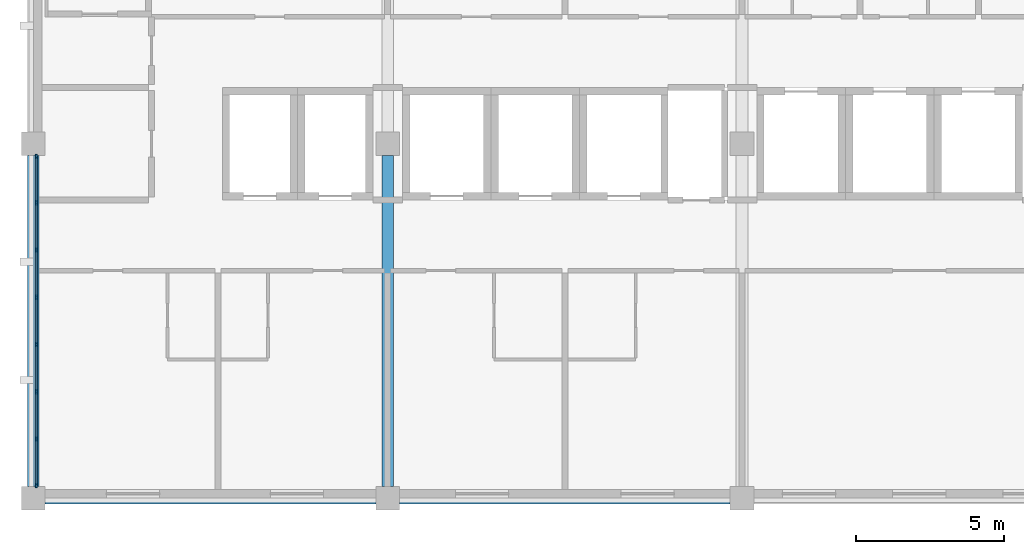
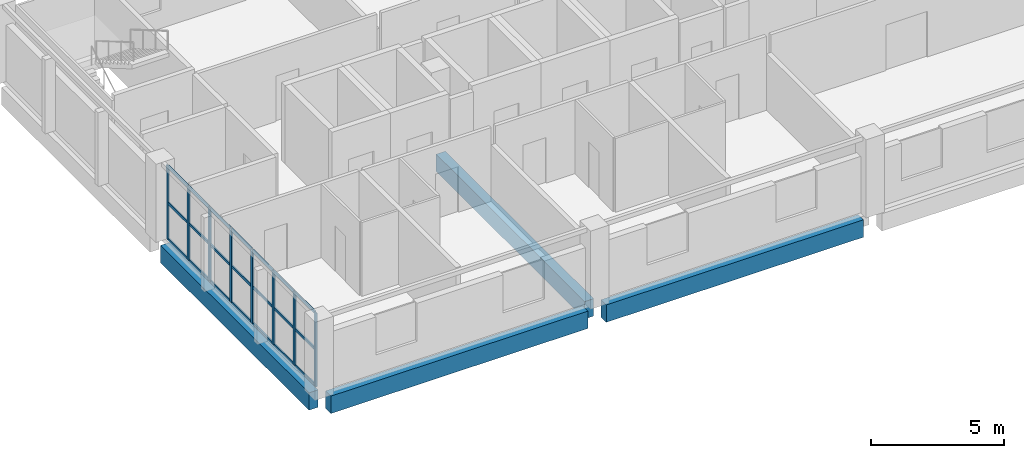
# One storey, part 2 of 11: 29 members, 4 beams, 1 element without a shape of its own.
"""IFC4 building model written with IfcOpenShell, lengths in metres."""

from ifc_helpers import new_model, si_unit, direction, frame, origin, origin_2d, place, context, subcontext, project, spatial, rectangle, extrude, material, layer, layer_set, material_profile, profile_set, type_object, element, aggregate, save


model = new_model("IFC4")

# Units and contexts
model_context = context("Model", 3, precision=1e-05, world=origin(), true_north=direction((0.0, 1.0)))
body_context = subcontext(model_context, "Body", "Model", "MODEL_VIEW")
ifc_project = project(units=[si_unit("LENGTHUNIT", "METRE"), si_unit("AREAUNIT", "SQUARE_METRE"), si_unit("VOLUMEUNIT", "CUBIC_METRE"), si_unit("PLANEANGLEUNIT", "RADIAN"), si_unit("MASSUNIT", "GRAM", prefix="KILO")], contexts=[model_context])

# Site, building, storey
site_placement = place(None, origin())
site = spatial("IfcSite", under=ifc_project, at=site_placement, CompositionType="ELEMENT")
building_placement = place(site_placement, origin())
building = spatial("IfcBuilding", under=site, at=building_placement, Name="Lilac Gate Convention Centre", CompositionType="ELEMENT")
storey_placement = place(building_placement, frame((0.0, 0.0, 39.0)))
storey = spatial("IfcBuildingStorey", under=building, at=storey_placement, Name="L09", CompositionType="ELEMENT", Elevation=39.0)

# Curtain wall, members
ifc_material_1 = material(Name="Aluminium framed double glazing", Category="aluminium")
ifc_layer = layer(ifc_material_1, 0.199951171875)
ifc_layer_set = layer_set([ifc_layer], Name="Aluminium framed double glazing")
curtain_wall_type = type_object("IfcCurtainWallType", Name="Unitised curtain wall 1500", PredefinedType="NOTDEFINED", material=ifc_layer_set)
curtain_wall_placement = place(storey_placement, origin())
curtain_wall = element("IfcCurtainWall", 1, at=curtain_wall_placement, inside=storey, type_object=curtain_wall_type, Name="Curtain wall W L09 2", PredefinedType="NOTDEFINED")
ifc_material_2 = material(Name="Aluminium alloy 6063", Category="aluminium")
ifc_material_profile_1 = material_profile(ifc_material_2, rectangle(XDim=0.06005859375, YDim=0.159912109375, at=origin_2d()), Name="Curtain wall mullion 60 x 160")
ifc_profile_set_1 = profile_set([ifc_material_profile_1], Name="Aluminium alloy 6063")
member_type_1 = type_object("IfcMemberType", Name="Curtain wall mullion 60 x 160", PredefinedType="MULLION", material=ifc_profile_set_1)
member_1_placement = place(storey_placement, frame((42.10009765625, 233.570068359375, 0.0), z_axis=(0.0, 0.0, 1.0), x_axis=(1.0, 0.0, 0.0)))
member_1 = element("IfcMember", 2, at=member_1_placement, type_object=member_type_1, Name="CW mullion 1", PredefinedType="MULLION", context=body_context, shape_type="SweptSolid", body=[
    extrude(rectangle(XDim=0.06005859375, YDim=0.159912109375, at=origin_2d()), origin(), (0.0, 0.0, 1.0), 3.39990234375),
])
member_2_placement = place(storey_placement, frame((42.10009765625, 232.0, 0.0), z_axis=(0.0, 0.0, 1.0), x_axis=(1.0, 0.0, 0.0)))
member_2 = element("IfcMember", 3, at=member_2_placement, type_object=member_type_1, Name="CW mullion 2", PredefinedType="MULLION", context=body_context, shape_type="SweptSolid", body=[
    extrude(rectangle(XDim=0.06005859375, YDim=0.159912109375, at=origin_2d()), origin(), (0.0, 0.0, 1.0), 3.39990234375),
])
member_3_placement = place(storey_placement, frame((42.10009765625, 230.400146484375, 0.0), z_axis=(0.0, 0.0, 1.0), x_axis=(1.0, 0.0, 0.0)))
member_3 = element("IfcMember", 4, at=member_3_placement, type_object=member_type_1, Name="CW mullion 3", PredefinedType="MULLION", context=body_context, shape_type="SweptSolid", body=[
    extrude(rectangle(XDim=0.06005859375, YDim=0.159912109375, at=origin_2d()), origin(), (0.0, 0.0, 1.0), 3.39990234375),
])
member_4_placement = place(storey_placement, frame((42.10009765625, 228.800048828125, 0.0), z_axis=(0.0, 0.0, 1.0), x_axis=(1.0, 0.0, 0.0)))
member_4 = element("IfcMember", 5, at=member_4_placement, type_object=member_type_1, Name="CW mullion 4", PredefinedType="MULLION", context=body_context, shape_type="SweptSolid", body=[
    extrude(rectangle(XDim=0.06005859375, YDim=0.159912109375, at=origin_2d()), origin(), (0.0, 0.0, 1.0), 3.39990234375),
])
member_5_placement = place(storey_placement, frame((42.10009765625, 227.199951171875, 0.0), z_axis=(0.0, 0.0, 1.0), x_axis=(1.0, 0.0, 0.0)))
member_5 = element("IfcMember", 6, at=member_5_placement, type_object=member_type_1, Name="CW mullion 5", PredefinedType="MULLION", context=body_context, shape_type="SweptSolid", body=[
    extrude(rectangle(XDim=0.06005859375, YDim=0.159912109375, at=origin_2d()), origin(), (0.0, 0.0, 1.0), 3.39990234375),
])
member_6_placement = place(storey_placement, frame((42.10009765625, 225.599853515625, 0.0), z_axis=(0.0, 0.0, 1.0), x_axis=(1.0, 0.0, 0.0)))
member_6 = element("IfcMember", 7, at=member_6_placement, type_object=member_type_1, Name="CW mullion 6", PredefinedType="MULLION", context=body_context, shape_type="SweptSolid", body=[
    extrude(rectangle(XDim=0.06005859375, YDim=0.159912109375, at=origin_2d()), origin(), (0.0, 0.0, 1.0), 3.39990234375),
])
member_7_placement = place(storey_placement, frame((42.10009765625, 224.0, 0.0), z_axis=(0.0, 0.0, 1.0), x_axis=(1.0, 0.0, 0.0)))
member_7 = element("IfcMember", 8, at=member_7_placement, type_object=member_type_1, Name="CW mullion 7", PredefinedType="MULLION", context=body_context, shape_type="SweptSolid", body=[
    extrude(rectangle(XDim=0.06005859375, YDim=0.159912109375, at=origin_2d()), origin(), (0.0, 0.0, 1.0), 3.39990234375),
])
member_8_placement = place(storey_placement, frame((42.10009765625, 222.429931640625, 0.0), z_axis=(0.0, 0.0, 1.0), x_axis=(1.0, 0.0, 0.0)))
member_8 = element("IfcMember", 9, at=member_8_placement, type_object=member_type_1, Name="CW mullion 8", PredefinedType="MULLION", context=body_context, shape_type="SweptSolid", body=[
    extrude(rectangle(XDim=0.06005859375, YDim=0.159912109375, at=origin_2d()), origin(), (0.0, 0.0, 1.0), 3.39990234375),
])
ifc_material_profile_2 = material_profile(ifc_material_2, rectangle(XDim=0.06005859375, YDim=0.1201171875, at=origin_2d()), Name="Curtain wall transom 60 x 120")
ifc_profile_set_2 = profile_set([ifc_material_profile_2], Name="Aluminium alloy 6063")
member_type_2 = type_object("IfcMemberType", Name="Curtain wall transom 60 x 120", PredefinedType="USERDEFINED", material=ifc_profile_set_2)
member_9_placement = place(storey_placement, frame((42.10009765625, 233.5400390625, 0.030029296875), z_axis=(0.0, -1.0, 0.0), x_axis=(1.0, 0.0, 0.0)))
member_9 = element("IfcMember", 10, at=member_9_placement, type_object=member_type_2, Name="CW transom 1.1", ObjectType="TRANSOM", PredefinedType="USERDEFINED", context=body_context, shape_type="SweptSolid", body=[
    extrude(rectangle(XDim=0.06005859375, YDim=0.1201171875, at=origin_2d()), origin(), (0.0, 0.0, 1.0), 1.510009765625),
])
member_10_placement = place(storey_placement, frame((42.10009765625, 233.5400390625, 1.699951171875), z_axis=(0.0, -1.0, 0.0), x_axis=(1.0, 0.0, 0.0)))
member_10 = element("IfcMember", 11, at=member_10_placement, type_object=member_type_2, Name="CW transom 1.2", ObjectType="TRANSOM", PredefinedType="USERDEFINED", context=body_context, shape_type="SweptSolid", body=[
    extrude(rectangle(XDim=0.06005859375, YDim=0.1201171875, at=origin_2d()), origin(), (0.0, 0.0, 1.0), 1.510009765625),
])
member_11_placement = place(storey_placement, frame((42.10009765625, 233.5400390625, 3.369873046875), z_axis=(0.0, -1.0, 0.0), x_axis=(1.0, 0.0, 0.0)))
member_11 = element("IfcMember", 12, at=member_11_placement, type_object=member_type_2, Name="CW transom 1.3", ObjectType="TRANSOM", PredefinedType="USERDEFINED", context=body_context, shape_type="SweptSolid", body=[
    extrude(rectangle(XDim=0.06005859375, YDim=0.1201171875, at=origin_2d()), origin(), (0.0, 0.0, 1.0), 1.510009765625),
])
member_12_placement = place(storey_placement, frame((42.10009765625, 231.969970703125, 0.030029296875), z_axis=(0.0, -1.0, 0.0), x_axis=(1.0, 0.0, 0.0)))
member_12 = element("IfcMember", 13, at=member_12_placement, type_object=member_type_2, Name="CW transom 2.1", ObjectType="TRANSOM", PredefinedType="USERDEFINED", context=body_context, shape_type="SweptSolid", body=[
    extrude(rectangle(XDim=0.06005859375, YDim=0.1201171875, at=origin_2d()), origin(), (0.0, 0.0, 1.0), 1.5400390625),
])
member_13_placement = place(storey_placement, frame((42.10009765625, 231.969970703125, 1.699951171875), z_axis=(0.0, -1.0, 0.0), x_axis=(1.0, 0.0, 0.0)))
member_13 = element("IfcMember", 14, at=member_13_placement, type_object=member_type_2, Name="CW transom 2.2", ObjectType="TRANSOM", PredefinedType="USERDEFINED", context=body_context, shape_type="SweptSolid", body=[
    extrude(rectangle(XDim=0.06005859375, YDim=0.1201171875, at=origin_2d()), origin(), (0.0, 0.0, 1.0), 1.5400390625),
])
member_14_placement = place(storey_placement, frame((42.10009765625, 231.969970703125, 3.369873046875), z_axis=(0.0, -1.0, 0.0), x_axis=(1.0, 0.0, 0.0)))
member_14 = element("IfcMember", 15, at=member_14_placement, type_object=member_type_2, Name="CW transom 2.3", ObjectType="TRANSOM", PredefinedType="USERDEFINED", context=body_context, shape_type="SweptSolid", body=[
    extrude(rectangle(XDim=0.06005859375, YDim=0.1201171875, at=origin_2d()), origin(), (0.0, 0.0, 1.0), 1.5400390625),
])
member_15_placement = place(storey_placement, frame((42.10009765625, 230.3701171875, 0.030029296875), z_axis=(0.0, -1.0, 0.0), x_axis=(1.0, 0.0, 0.0)))
member_15 = element("IfcMember", 16, at=member_15_placement, type_object=member_type_2, Name="CW transom 3.1", ObjectType="TRANSOM", PredefinedType="USERDEFINED", context=body_context, shape_type="SweptSolid", body=[
    extrude(rectangle(XDim=0.06005859375, YDim=0.1201171875, at=origin_2d()), origin(), (0.0, 0.0, 1.0), 1.5400390625),
])
member_16_placement = place(storey_placement, frame((42.10009765625, 230.3701171875, 1.699951171875), z_axis=(0.0, -1.0, 0.0), x_axis=(1.0, 0.0, 0.0)))
member_16 = element("IfcMember", 17, at=member_16_placement, type_object=member_type_2, Name="CW transom 3.2", ObjectType="TRANSOM", PredefinedType="USERDEFINED", context=body_context, shape_type="SweptSolid", body=[
    extrude(rectangle(XDim=0.06005859375, YDim=0.1201171875, at=origin_2d()), origin(), (0.0, 0.0, 1.0), 1.5400390625),
])
member_17_placement = place(storey_placement, frame((42.10009765625, 230.3701171875, 3.369873046875), z_axis=(0.0, -1.0, 0.0), x_axis=(1.0, 0.0, 0.0)))
member_17 = element("IfcMember", 18, at=member_17_placement, type_object=member_type_2, Name="CW transom 3.3", ObjectType="TRANSOM", PredefinedType="USERDEFINED", context=body_context, shape_type="SweptSolid", body=[
    extrude(rectangle(XDim=0.06005859375, YDim=0.1201171875, at=origin_2d()), origin(), (0.0, 0.0, 1.0), 1.5400390625),
])
member_18_placement = place(storey_placement, frame((42.10009765625, 228.77001953125, 0.030029296875), z_axis=(0.0, -1.0, 0.0), x_axis=(1.0, 0.0, 0.0)))
member_18 = element("IfcMember", 19, at=member_18_placement, type_object=member_type_2, Name="CW transom 4.1", ObjectType="TRANSOM", PredefinedType="USERDEFINED", context=body_context, shape_type="SweptSolid", body=[
    extrude(rectangle(XDim=0.06005859375, YDim=0.1201171875, at=origin_2d()), origin(), (0.0, 0.0, 1.0), 1.5400390625),
])
member_19_placement = place(storey_placement, frame((42.10009765625, 228.77001953125, 1.699951171875), z_axis=(0.0, -1.0, 0.0), x_axis=(1.0, 0.0, 0.0)))
member_19 = element("IfcMember", 20, at=member_19_placement, type_object=member_type_2, Name="CW transom 4.2", ObjectType="TRANSOM", PredefinedType="USERDEFINED", context=body_context, shape_type="SweptSolid", body=[
    extrude(rectangle(XDim=0.06005859375, YDim=0.1201171875, at=origin_2d()), origin(), (0.0, 0.0, 1.0), 1.5400390625),
])
member_20_placement = place(storey_placement, frame((42.10009765625, 228.77001953125, 3.369873046875), z_axis=(0.0, -1.0, 0.0), x_axis=(1.0, 0.0, 0.0)))
member_20 = element("IfcMember", 21, at=member_20_placement, type_object=member_type_2, Name="CW transom 4.3", ObjectType="TRANSOM", PredefinedType="USERDEFINED", context=body_context, shape_type="SweptSolid", body=[
    extrude(rectangle(XDim=0.06005859375, YDim=0.1201171875, at=origin_2d()), origin(), (0.0, 0.0, 1.0), 1.5400390625),
])
member_21_placement = place(storey_placement, frame((42.10009765625, 227.169921875, 0.030029296875), z_axis=(0.0, -1.0, 0.0), x_axis=(1.0, 0.0, 0.0)))
member_21 = element("IfcMember", 22, at=member_21_placement, type_object=member_type_2, Name="CW transom 5.1", ObjectType="TRANSOM", PredefinedType="USERDEFINED", context=body_context, shape_type="SweptSolid", body=[
    extrude(rectangle(XDim=0.06005859375, YDim=0.1201171875, at=origin_2d()), origin(), (0.0, 0.0, 1.0), 1.5400390625),
])
member_22_placement = place(storey_placement, frame((42.10009765625, 227.169921875, 1.699951171875), z_axis=(0.0, -1.0, 0.0), x_axis=(1.0, 0.0, 0.0)))
member_22 = element("IfcMember", 23, at=member_22_placement, type_object=member_type_2, Name="CW transom 5.2", ObjectType="TRANSOM", PredefinedType="USERDEFINED", context=body_context, shape_type="SweptSolid", body=[
    extrude(rectangle(XDim=0.06005859375, YDim=0.1201171875, at=origin_2d()), origin(), (0.0, 0.0, 1.0), 1.5400390625),
])
member_23_placement = place(storey_placement, frame((42.10009765625, 227.169921875, 3.369873046875), z_axis=(0.0, -1.0, 0.0), x_axis=(1.0, 0.0, 0.0)))
member_23 = element("IfcMember", 24, at=member_23_placement, type_object=member_type_2, Name="CW transom 5.3", ObjectType="TRANSOM", PredefinedType="USERDEFINED", context=body_context, shape_type="SweptSolid", body=[
    extrude(rectangle(XDim=0.06005859375, YDim=0.1201171875, at=origin_2d()), origin(), (0.0, 0.0, 1.0), 1.5400390625),
])
member_24_placement = place(storey_placement, frame((42.10009765625, 225.570068359375, 0.030029296875), z_axis=(0.0, -1.0, 0.0), x_axis=(1.0, 0.0, 0.0)))
member_24 = element("IfcMember", 25, at=member_24_placement, type_object=member_type_2, Name="CW transom 6.1", ObjectType="TRANSOM", PredefinedType="USERDEFINED", context=body_context, shape_type="SweptSolid", body=[
    extrude(rectangle(XDim=0.06005859375, YDim=0.1201171875, at=origin_2d()), origin(), (0.0, 0.0, 1.0), 1.5400390625),
])
member_25_placement = place(storey_placement, frame((42.10009765625, 225.570068359375, 1.699951171875), z_axis=(0.0, -1.0, 0.0), x_axis=(1.0, 0.0, 0.0)))
member_25 = element("IfcMember", 26, at=member_25_placement, type_object=member_type_2, Name="CW transom 6.2", ObjectType="TRANSOM", PredefinedType="USERDEFINED", context=body_context, shape_type="SweptSolid", body=[
    extrude(rectangle(XDim=0.06005859375, YDim=0.1201171875, at=origin_2d()), origin(), (0.0, 0.0, 1.0), 1.5400390625),
])
member_26_placement = place(storey_placement, frame((42.10009765625, 225.570068359375, 3.369873046875), z_axis=(0.0, -1.0, 0.0), x_axis=(1.0, 0.0, 0.0)))
member_26 = element("IfcMember", 27, at=member_26_placement, type_object=member_type_2, Name="CW transom 6.3", ObjectType="TRANSOM", PredefinedType="USERDEFINED", context=body_context, shape_type="SweptSolid", body=[
    extrude(rectangle(XDim=0.06005859375, YDim=0.1201171875, at=origin_2d()), origin(), (0.0, 0.0, 1.0), 1.5400390625),
])
member_27_placement = place(storey_placement, frame((42.10009765625, 223.969970703125, 0.030029296875), z_axis=(0.0, -1.0, 0.0), x_axis=(1.0, 0.0, 0.0)))
member_27 = element("IfcMember", 28, at=member_27_placement, type_object=member_type_2, Name="CW transom 7.1", ObjectType="TRANSOM", PredefinedType="USERDEFINED", context=body_context, shape_type="SweptSolid", body=[
    extrude(rectangle(XDim=0.06005859375, YDim=0.1201171875, at=origin_2d()), origin(), (0.0, 0.0, 1.0), 1.510009765625),
])
member_28_placement = place(storey_placement, frame((42.10009765625, 223.969970703125, 1.699951171875), z_axis=(0.0, -1.0, 0.0), x_axis=(1.0, 0.0, 0.0)))
member_28 = element("IfcMember", 29, at=member_28_placement, type_object=member_type_2, Name="CW transom 7.2", ObjectType="TRANSOM", PredefinedType="USERDEFINED", context=body_context, shape_type="SweptSolid", body=[
    extrude(rectangle(XDim=0.06005859375, YDim=0.1201171875, at=origin_2d()), origin(), (0.0, 0.0, 1.0), 1.510009765625),
])
member_29_placement = place(storey_placement, frame((42.10009765625, 223.969970703125, 3.369873046875), z_axis=(0.0, -1.0, 0.0), x_axis=(1.0, 0.0, 0.0)))
member_29 = element("IfcMember", 30, at=member_29_placement, type_object=member_type_2, Name="CW transom 7.3", ObjectType="TRANSOM", PredefinedType="USERDEFINED", context=body_context, shape_type="SweptSolid", body=[
    extrude(rectangle(XDim=0.06005859375, YDim=0.1201171875, at=origin_2d()), origin(), (0.0, 0.0, 1.0), 1.510009765625),
])
aggregate(curtain_wall, [member_1, member_2, member_3, member_4, member_5, member_6, member_7, member_8, member_9, member_10, member_11, member_12, member_13, member_14, member_15, member_16, member_17, member_18, member_19, member_20, member_21, member_22, member_23, member_24, member_25, member_26, member_27, member_28, member_29])

# Beams
ifc_material_3 = material(Name="Concrete C40", Category="concrete")
ifc_material_profile_3 = material_profile(ifc_material_3, rectangle(XDim=0.39990234375, YDim=0.800048828125, at=origin_2d()), Name="RC 400x800")
ifc_profile_set_3 = profile_set([ifc_material_profile_3], Name="Concrete C40")
beam_type = type_object("IfcBeamType", Name="Tower primary beam 400x800 C40", PredefinedType="BEAM", material=ifc_profile_set_3)
for number, where, z_axis, x_axis, name in (
    (31, (42.39990234375, 222.0, -0.60009765625), (1.0, 0.0, 0.0), (0.0, 1.0, 0.0), "RB3 L09 4/S-5/S"),
    (32, (54.39990234375, 222.0, -0.60009765625), (1.0, 0.0, 0.0), (0.0, 1.0, 0.0), "RB3 L09 5/S-6/S"),
    (33, (42.0, 222.39990234375, -0.60009765625), (0.0, 1.0, 0.0), (-1.0, 0.0, 0.0), "RB3 L09 4/S-4/T"),
    (34, (54.0, 222.39990234375, -0.60009765625), (0.0, 1.0, 0.0), (-1.0, 0.0, 0.0), "RB3 L09 5/S-5/T"),
):
    element("IfcBeam", number, at=place(storey_placement, frame(where, z_axis=z_axis, x_axis=x_axis)), inside=storey, type_object=beam_type, Name=name, PredefinedType="BEAM", context=body_context, shape_type="SweptSolid", body=[
        extrude(rectangle(XDim=0.39990234375, YDim=0.800048828125, at=origin_2d()), origin(), (0.0, 0.0, 1.0), 11.2001953125),
    ])

save(model, "model.ifc")
